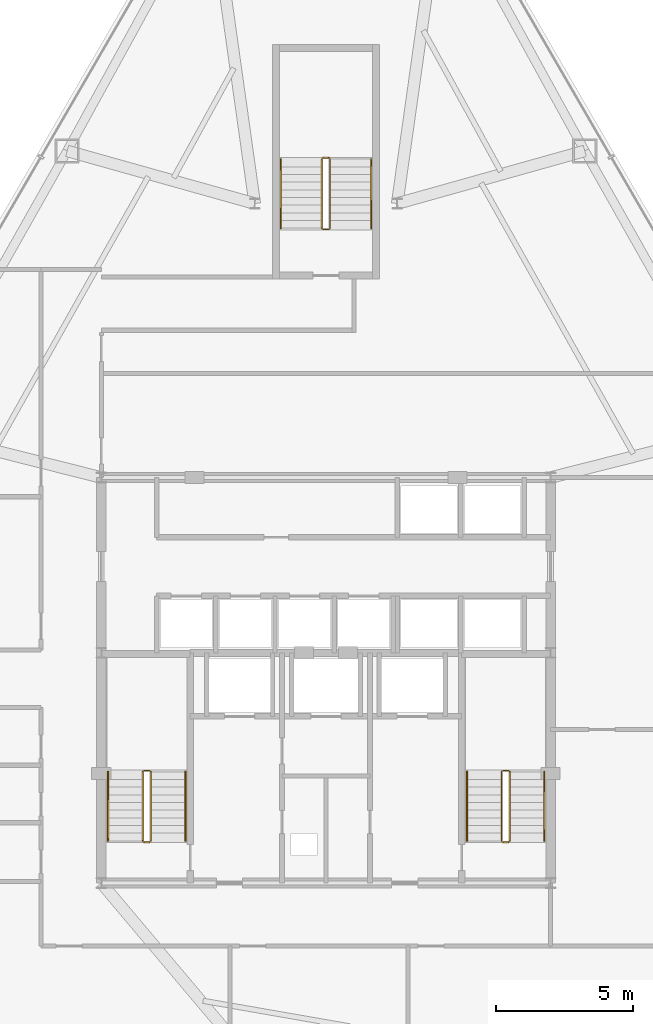
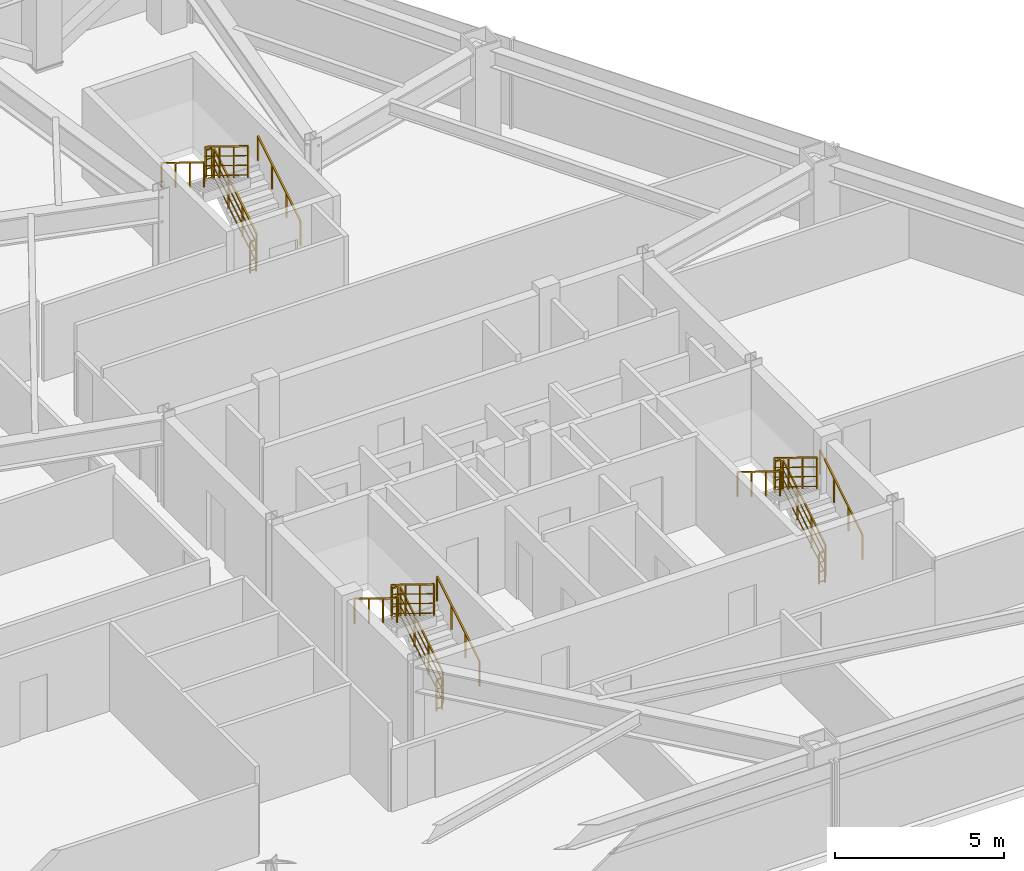
# One storey, part 13 of 13: 18 railings.
"""IFC4 building model written with IfcOpenShell, lengths in metres."""

from ifc_helpers import new_model, si_unit, direction, frame, origin, origin_2d, place, context, subcontext, project, spatial, rectangle, extrude, material, type_object, element, save


model = new_model("IFC4")

# Units and contexts
model_context = context("Model", 3, precision=1e-05, world=origin(), true_north=direction((0.0, 1.0)))
body_context = subcontext(model_context, "Body", "Model", "MODEL_VIEW")
ifc_project = project(units=[si_unit("LENGTHUNIT", "METRE"), si_unit("AREAUNIT", "SQUARE_METRE"), si_unit("VOLUMEUNIT", "CUBIC_METRE"), si_unit("PLANEANGLEUNIT", "RADIAN"), si_unit("MASSUNIT", "GRAM", prefix="KILO")], contexts=[model_context])

# Site, building, storey
site_placement = place(None, origin())
site = spatial("IfcSite", under=ifc_project, at=site_placement, CompositionType="ELEMENT")
building_placement = place(site_placement, origin())
building = spatial("IfcBuilding", under=site, at=building_placement, Name="Varakhsha Concourse Tower", CompositionType="ELEMENT")
storey_placement = place(building_placement, frame((0.0, 0.0, 122.89990234375)))
storey = spatial("IfcBuildingStorey", under=building, at=storey_placement, Name="L35", CompositionType="ELEMENT", Elevation=122.89990234375)

# Railings
ifc_material = material(Name="Brushed Austenitic Stainless Steel AISI 316", Category="steel")
railing_type_1 = type_object("IfcRailingType", Name="RL-STAIR-GUARD-1100", PredefinedType="GUARDRAIL", material=ifc_material)
railing_1_placement = place(storey_placement, frame((33.610107421875, 17.93994140625, 0.172607421875)))
element("IfcRailing", 1, at=railing_1_placement, inside=storey, type_object=railing_type_1, Name="L35 ST1 stair guard 1", PredefinedType="GUARDRAIL", context=body_context, shape_type="SweptSolid", body=[
    extrude(rectangle(XDim=0.048095703125, YDim=0.048095703125, at=origin_2d()), frame((0.0, 0.0, 1.1259765625), z_axis=(0.0, 0.851400495292, 0.524516154772), x_axis=(-1.0, 0.0, 0.0)), (0.0, 0.0, 1.0), 2.9599609375),
    extrude(rectangle(XDim=0.028076171875, YDim=0.028076171875, at=origin_2d()), frame((0.0, 0.0, 0.080078125), z_axis=(0.0, 0.851400495292, 0.524516154772), x_axis=(-1.0, 0.0, 0.0)), (0.0, 0.0, 1.0), 2.9599609375),
    extrude(rectangle(XDim=0.028076171875, YDim=0.028076171875, at=origin_2d()), frame((0.0, 0.0, 0.43701171875), z_axis=(0.0, 0.851400495292, 0.524516154772), x_axis=(-1.0, 0.0, 0.0)), (0.0, 0.0, 1.0), 2.9599609375),
    extrude(rectangle(XDim=0.028076171875, YDim=0.028076171875, at=origin_2d()), frame((0.0, 0.0, 0.781982421875), z_axis=(0.0, 0.851400495292, 0.524516154772), x_axis=(-1.0, 0.0, 0.0)), (0.0, 0.0, 1.0), 2.9599609375),
    extrude(rectangle(XDim=0.0419921875, YDim=0.0419921875, at=origin_2d()), origin(), (0.0, 0.0, 1.0), 1.101806640625),
    extrude(rectangle(XDim=0.0419921875, YDim=0.0419921875, at=origin_2d()), frame((0.0, 0.840087890625, 0.517578125)), (0.0, 0.0, 1.0), 1.101806640625),
    extrude(rectangle(XDim=0.0419921875, YDim=0.0419921875, at=origin_2d()), frame((0.0, 1.679931640625, 1.034912109375)), (0.0, 0.0, 1.0), 1.101806640625),
    extrude(rectangle(XDim=0.0419921875, YDim=0.0419921875, at=origin_2d()), frame((0.0, 2.52001953125, 1.552490234375)), (0.0, 0.0, 1.0), 1.101806640625),
])
railing_2_placement = place(storey_placement, frame((33.56005859375, 20.510009765625, 1.72509765625)))
element("IfcRailing", 2, at=railing_2_placement, inside=storey, type_object=railing_type_1, Name="L35 ST1 stair guard 2", PredefinedType="GUARDRAIL", context=body_context, shape_type="SweptSolid", body=[
    extrude(rectangle(XDim=0.048095703125, YDim=0.048095703125, at=origin_2d()), frame((0.0, 0.0, 1.1259765625), z_axis=(-1.0, 0.0, 0.0), x_axis=(0.0, -1.0, 0.0)), (0.0, 0.0, 1.0), 0.199951171875),
    extrude(rectangle(XDim=0.028076171875, YDim=0.028076171875, at=origin_2d()), frame((0.0, 0.0, 0.080078125), z_axis=(-1.0, 0.0, 0.0), x_axis=(0.0, -1.0, 0.0)), (0.0, 0.0, 1.0), 0.199951171875),
    extrude(rectangle(XDim=0.028076171875, YDim=0.028076171875, at=origin_2d()), frame((0.0, 0.0, 0.43701171875), z_axis=(-1.0, 0.0, 0.0), x_axis=(0.0, -1.0, 0.0)), (0.0, 0.0, 1.0), 0.199951171875),
    extrude(rectangle(XDim=0.028076171875, YDim=0.028076171875, at=origin_2d()), frame((0.0, 0.0, 0.781982421875), z_axis=(-1.0, 0.0, 0.0), x_axis=(0.0, -1.0, 0.0)), (0.0, 0.0, 1.0), 0.199951171875),
    extrude(rectangle(XDim=0.0419921875, YDim=0.0419921875, at=origin_2d()), origin(), (0.0, 0.0, 1.0), 1.101806640625),
    extrude(rectangle(XDim=0.0419921875, YDim=0.0419921875, at=origin_2d()), frame((-0.199951171875, 0.0, 0.0)), (0.0, 0.0, 1.0), 1.101806640625),
])
railing_3_placement = place(storey_placement, frame((33.31005859375, 20.4599609375, 1.897705078125)))
element("IfcRailing", 3, at=railing_3_placement, inside=storey, type_object=railing_type_1, Name="L35 ST1 stair guard 3", PredefinedType="GUARDRAIL", context=body_context, shape_type="SweptSolid", body=[
    extrude(rectangle(XDim=0.048095703125, YDim=0.048095703125, at=origin_2d()), frame((0.0, 0.0, 1.1259765625), z_axis=(0.0, -0.851400495292, 0.524516154772), x_axis=(1.0, 0.0, 0.0)), (0.0, 0.0, 1.0), 2.9599609375),
    extrude(rectangle(XDim=0.028076171875, YDim=0.028076171875, at=origin_2d()), frame((0.0, 0.0, 0.080078125), z_axis=(0.0, -0.851400495292, 0.524516154772), x_axis=(1.0, 0.0, 0.0)), (0.0, 0.0, 1.0), 2.9599609375),
    extrude(rectangle(XDim=0.028076171875, YDim=0.028076171875, at=origin_2d()), frame((0.0, 0.0, 0.43701171875), z_axis=(0.0, -0.851400495292, 0.524516154772), x_axis=(1.0, 0.0, 0.0)), (0.0, 0.0, 1.0), 2.9599609375),
    extrude(rectangle(XDim=0.028076171875, YDim=0.028076171875, at=origin_2d()), frame((0.0, 0.0, 0.781982421875), z_axis=(0.0, -0.851400495292, 0.524516154772), x_axis=(1.0, 0.0, 0.0)), (0.0, 0.0, 1.0), 2.9599609375),
    extrude(rectangle(XDim=0.0419921875, YDim=0.0419921875, at=origin_2d()), origin(), (0.0, 0.0, 1.0), 1.101806640625),
    extrude(rectangle(XDim=0.0419921875, YDim=0.0419921875, at=origin_2d()), frame((0.0, -0.840087890625, 0.517578125)), (0.0, 0.0, 1.0), 1.101806640625),
    extrude(rectangle(XDim=0.0419921875, YDim=0.0419921875, at=origin_2d()), frame((0.0, -1.679931640625, 1.034912109375)), (0.0, 0.0, 1.0), 1.101806640625),
    extrude(rectangle(XDim=0.0419921875, YDim=0.0419921875, at=origin_2d()), frame((0.0, -2.52001953125, 1.552490234375)), (0.0, 0.0, 1.0), 1.101806640625),
])
railing_4_placement = place(storey_placement, frame((33.56005859375, 17.889892578125, 0.0)))
element("IfcRailing", 4, at=railing_4_placement, inside=storey, type_object=railing_type_1, Name="L35 ST1 stair guard 4", PredefinedType="GUARDRAIL", context=body_context, shape_type="SweptSolid", body=[
    extrude(rectangle(XDim=0.048095703125, YDim=0.048095703125, at=origin_2d()), frame((0.0, 0.0, 1.1259765625), z_axis=(-1.0, 0.0, 0.0), x_axis=(0.0, -1.0, 0.0)), (0.0, 0.0, 1.0), 0.199951171875),
    extrude(rectangle(XDim=0.028076171875, YDim=0.028076171875, at=origin_2d()), frame((0.0, 0.0, 0.080078125), z_axis=(-1.0, 0.0, 0.0), x_axis=(0.0, -1.0, 0.0)), (0.0, 0.0, 1.0), 0.199951171875),
    extrude(rectangle(XDim=0.028076171875, YDim=0.028076171875, at=origin_2d()), frame((0.0, 0.0, 0.43701171875), z_axis=(-1.0, 0.0, 0.0), x_axis=(0.0, -1.0, 0.0)), (0.0, 0.0, 1.0), 0.199951171875),
    extrude(rectangle(XDim=0.028076171875, YDim=0.028076171875, at=origin_2d()), frame((0.0, 0.0, 0.781982421875), z_axis=(-1.0, 0.0, 0.0), x_axis=(0.0, -1.0, 0.0)), (0.0, 0.0, 1.0), 0.199951171875),
    extrude(rectangle(XDim=0.0419921875, YDim=0.0419921875, at=origin_2d()), origin(), (0.0, 0.0, 1.0), 1.101806640625),
    extrude(rectangle(XDim=0.0419921875, YDim=0.0419921875, at=origin_2d()), frame((-0.199951171875, 0.0, 0.0)), (0.0, 0.0, 1.0), 1.101806640625),
])
railing_5_placement = place(storey_placement, frame((46.7099609375, 17.93994140625, 0.172607421875)))
element("IfcRailing", 5, at=railing_5_placement, inside=storey, type_object=railing_type_1, Name="L35 ST2 stair guard 1", PredefinedType="GUARDRAIL", context=body_context, shape_type="SweptSolid", body=[
    extrude(rectangle(XDim=0.048095703125, YDim=0.048095703125, at=origin_2d()), frame((0.0, 0.0, 1.1259765625), z_axis=(0.0, 0.851400495292, 0.524516154772), x_axis=(-1.0, 0.0, 0.0)), (0.0, 0.0, 1.0), 2.9599609375),
    extrude(rectangle(XDim=0.028076171875, YDim=0.028076171875, at=origin_2d()), frame((0.0, 0.0, 0.080078125), z_axis=(0.0, 0.851400495292, 0.524516154772), x_axis=(-1.0, 0.0, 0.0)), (0.0, 0.0, 1.0), 2.9599609375),
    extrude(rectangle(XDim=0.028076171875, YDim=0.028076171875, at=origin_2d()), frame((0.0, 0.0, 0.43701171875), z_axis=(0.0, 0.851400495292, 0.524516154772), x_axis=(-1.0, 0.0, 0.0)), (0.0, 0.0, 1.0), 2.9599609375),
    extrude(rectangle(XDim=0.028076171875, YDim=0.028076171875, at=origin_2d()), frame((0.0, 0.0, 0.781982421875), z_axis=(0.0, 0.851400495292, 0.524516154772), x_axis=(-1.0, 0.0, 0.0)), (0.0, 0.0, 1.0), 2.9599609375),
    extrude(rectangle(XDim=0.0419921875, YDim=0.0419921875, at=origin_2d()), origin(), (0.0, 0.0, 1.0), 1.101806640625),
    extrude(rectangle(XDim=0.0419921875, YDim=0.0419921875, at=origin_2d()), frame((0.0, 0.840087890625, 0.517578125)), (0.0, 0.0, 1.0), 1.101806640625),
    extrude(rectangle(XDim=0.0419921875, YDim=0.0419921875, at=origin_2d()), frame((0.0, 1.679931640625, 1.034912109375)), (0.0, 0.0, 1.0), 1.101806640625),
    extrude(rectangle(XDim=0.0419921875, YDim=0.0419921875, at=origin_2d()), frame((0.0, 2.52001953125, 1.552490234375)), (0.0, 0.0, 1.0), 1.101806640625),
])
railing_6_placement = place(storey_placement, frame((46.659912109375, 20.510009765625, 1.72509765625)))
element("IfcRailing", 6, at=railing_6_placement, inside=storey, type_object=railing_type_1, Name="L35 ST2 stair guard 2", PredefinedType="GUARDRAIL", context=body_context, shape_type="SweptSolid", body=[
    extrude(rectangle(XDim=0.048095703125, YDim=0.048095703125, at=origin_2d()), frame((0.0, 0.0, 1.1259765625), z_axis=(-1.0, 0.0, 0.0), x_axis=(0.0, -1.0, 0.0)), (0.0, 0.0, 1.0), 0.199951171875),
    extrude(rectangle(XDim=0.028076171875, YDim=0.028076171875, at=origin_2d()), frame((0.0, 0.0, 0.080078125), z_axis=(-1.0, 0.0, 0.0), x_axis=(0.0, -1.0, 0.0)), (0.0, 0.0, 1.0), 0.199951171875),
    extrude(rectangle(XDim=0.028076171875, YDim=0.028076171875, at=origin_2d()), frame((0.0, 0.0, 0.43701171875), z_axis=(-1.0, 0.0, 0.0), x_axis=(0.0, -1.0, 0.0)), (0.0, 0.0, 1.0), 0.199951171875),
    extrude(rectangle(XDim=0.028076171875, YDim=0.028076171875, at=origin_2d()), frame((0.0, 0.0, 0.781982421875), z_axis=(-1.0, 0.0, 0.0), x_axis=(0.0, -1.0, 0.0)), (0.0, 0.0, 1.0), 0.199951171875),
    extrude(rectangle(XDim=0.0419921875, YDim=0.0419921875, at=origin_2d()), origin(), (0.0, 0.0, 1.0), 1.101806640625),
    extrude(rectangle(XDim=0.0419921875, YDim=0.0419921875, at=origin_2d()), frame((-0.199951171875, 0.0, 0.0)), (0.0, 0.0, 1.0), 1.101806640625),
])
railing_7_placement = place(storey_placement, frame((46.409912109375, 20.4599609375, 1.897705078125)))
element("IfcRailing", 7, at=railing_7_placement, inside=storey, type_object=railing_type_1, Name="L35 ST2 stair guard 3", PredefinedType="GUARDRAIL", context=body_context, shape_type="SweptSolid", body=[
    extrude(rectangle(XDim=0.048095703125, YDim=0.048095703125, at=origin_2d()), frame((0.0, 0.0, 1.1259765625), z_axis=(0.0, -0.851400495292, 0.524516154772), x_axis=(1.0, 0.0, 0.0)), (0.0, 0.0, 1.0), 2.9599609375),
    extrude(rectangle(XDim=0.028076171875, YDim=0.028076171875, at=origin_2d()), frame((0.0, 0.0, 0.080078125), z_axis=(0.0, -0.851400495292, 0.524516154772), x_axis=(1.0, 0.0, 0.0)), (0.0, 0.0, 1.0), 2.9599609375),
    extrude(rectangle(XDim=0.028076171875, YDim=0.028076171875, at=origin_2d()), frame((0.0, 0.0, 0.43701171875), z_axis=(0.0, -0.851400495292, 0.524516154772), x_axis=(1.0, 0.0, 0.0)), (0.0, 0.0, 1.0), 2.9599609375),
    extrude(rectangle(XDim=0.028076171875, YDim=0.028076171875, at=origin_2d()), frame((0.0, 0.0, 0.781982421875), z_axis=(0.0, -0.851400495292, 0.524516154772), x_axis=(1.0, 0.0, 0.0)), (0.0, 0.0, 1.0), 2.9599609375),
    extrude(rectangle(XDim=0.0419921875, YDim=0.0419921875, at=origin_2d()), origin(), (0.0, 0.0, 1.0), 1.101806640625),
    extrude(rectangle(XDim=0.0419921875, YDim=0.0419921875, at=origin_2d()), frame((0.0, -0.840087890625, 0.517578125)), (0.0, 0.0, 1.0), 1.101806640625),
    extrude(rectangle(XDim=0.0419921875, YDim=0.0419921875, at=origin_2d()), frame((0.0, -1.679931640625, 1.034912109375)), (0.0, 0.0, 1.0), 1.101806640625),
    extrude(rectangle(XDim=0.0419921875, YDim=0.0419921875, at=origin_2d()), frame((0.0, -2.52001953125, 1.552490234375)), (0.0, 0.0, 1.0), 1.101806640625),
])
railing_8_placement = place(storey_placement, frame((46.659912109375, 17.889892578125, 0.0)))
element("IfcRailing", 8, at=railing_8_placement, inside=storey, type_object=railing_type_1, Name="L35 ST2 stair guard 4", PredefinedType="GUARDRAIL", context=body_context, shape_type="SweptSolid", body=[
    extrude(rectangle(XDim=0.048095703125, YDim=0.048095703125, at=origin_2d()), frame((0.0, 0.0, 1.1259765625), z_axis=(-1.0, 0.0, 0.0), x_axis=(0.0, -1.0, 0.0)), (0.0, 0.0, 1.0), 0.199951171875),
    extrude(rectangle(XDim=0.028076171875, YDim=0.028076171875, at=origin_2d()), frame((0.0, 0.0, 0.080078125), z_axis=(-1.0, 0.0, 0.0), x_axis=(0.0, -1.0, 0.0)), (0.0, 0.0, 1.0), 0.199951171875),
    extrude(rectangle(XDim=0.028076171875, YDim=0.028076171875, at=origin_2d()), frame((0.0, 0.0, 0.43701171875), z_axis=(-1.0, 0.0, 0.0), x_axis=(0.0, -1.0, 0.0)), (0.0, 0.0, 1.0), 0.199951171875),
    extrude(rectangle(XDim=0.028076171875, YDim=0.028076171875, at=origin_2d()), frame((0.0, 0.0, 0.781982421875), z_axis=(-1.0, 0.0, 0.0), x_axis=(0.0, -1.0, 0.0)), (0.0, 0.0, 1.0), 0.199951171875),
    extrude(rectangle(XDim=0.0419921875, YDim=0.0419921875, at=origin_2d()), origin(), (0.0, 0.0, 1.0), 1.101806640625),
    extrude(rectangle(XDim=0.0419921875, YDim=0.0419921875, at=origin_2d()), frame((-0.199951171875, 0.0, 0.0)), (0.0, 0.0, 1.0), 1.101806640625),
])
railing_9_placement = place(storey_placement, frame((40.14990234375, 40.300048828125, 0.172607421875)))
element("IfcRailing", 9, at=railing_9_placement, inside=storey, type_object=railing_type_1, Name="L35 ST5 stair guard 1", PredefinedType="GUARDRAIL", context=body_context, shape_type="SweptSolid", body=[
    extrude(rectangle(XDim=0.048095703125, YDim=0.048095703125, at=origin_2d()), frame((0.0, 0.0, 1.1259765625), z_axis=(0.0, 0.851400495292, 0.524516154772), x_axis=(-1.0, 0.0, 0.0)), (0.0, 0.0, 1.0), 2.9599609375),
    extrude(rectangle(XDim=0.028076171875, YDim=0.028076171875, at=origin_2d()), frame((0.0, 0.0, 0.080078125), z_axis=(0.0, 0.851400495292, 0.524516154772), x_axis=(-1.0, 0.0, 0.0)), (0.0, 0.0, 1.0), 2.9599609375),
    extrude(rectangle(XDim=0.028076171875, YDim=0.028076171875, at=origin_2d()), frame((0.0, 0.0, 0.43701171875), z_axis=(0.0, 0.851400495292, 0.524516154772), x_axis=(-1.0, 0.0, 0.0)), (0.0, 0.0, 1.0), 2.9599609375),
    extrude(rectangle(XDim=0.028076171875, YDim=0.028076171875, at=origin_2d()), frame((0.0, 0.0, 0.781982421875), z_axis=(0.0, 0.851400495292, 0.524516154772), x_axis=(-1.0, 0.0, 0.0)), (0.0, 0.0, 1.0), 2.9599609375),
    extrude(rectangle(XDim=0.0419921875, YDim=0.0419921875, at=origin_2d()), origin(), (0.0, 0.0, 1.0), 1.101806640625),
    extrude(rectangle(XDim=0.0419921875, YDim=0.0419921875, at=origin_2d()), frame((0.0, 0.840087890625, 0.517578125)), (0.0, 0.0, 1.0), 1.101806640625),
    extrude(rectangle(XDim=0.0419921875, YDim=0.0419921875, at=origin_2d()), frame((0.0, 1.679931640625, 1.034912109375)), (0.0, 0.0, 1.0), 1.101806640625),
    extrude(rectangle(XDim=0.0419921875, YDim=0.0419921875, at=origin_2d()), frame((0.0, 2.52001953125, 1.552490234375)), (0.0, 0.0, 1.0), 1.101806640625),
])
railing_10_placement = place(storey_placement, frame((40.10009765625, 42.8701171875, 1.72509765625)))
element("IfcRailing", 10, at=railing_10_placement, inside=storey, type_object=railing_type_1, Name="L35 ST5 stair guard 2", PredefinedType="GUARDRAIL", context=body_context, shape_type="SweptSolid", body=[
    extrude(rectangle(XDim=0.048095703125, YDim=0.048095703125, at=origin_2d()), frame((0.0, 0.0, 1.1259765625), z_axis=(-1.0, 0.0, 0.0), x_axis=(0.0, -1.0, 0.0)), (0.0, 0.0, 1.0), 0.2001953125),
    extrude(rectangle(XDim=0.028076171875, YDim=0.028076171875, at=origin_2d()), frame((0.0, 0.0, 0.080078125), z_axis=(-1.0, 0.0, 0.0), x_axis=(0.0, -1.0, 0.0)), (0.0, 0.0, 1.0), 0.2001953125),
    extrude(rectangle(XDim=0.028076171875, YDim=0.028076171875, at=origin_2d()), frame((0.0, 0.0, 0.43701171875), z_axis=(-1.0, 0.0, 0.0), x_axis=(0.0, -1.0, 0.0)), (0.0, 0.0, 1.0), 0.2001953125),
    extrude(rectangle(XDim=0.028076171875, YDim=0.028076171875, at=origin_2d()), frame((0.0, 0.0, 0.781982421875), z_axis=(-1.0, 0.0, 0.0), x_axis=(0.0, -1.0, 0.0)), (0.0, 0.0, 1.0), 0.2001953125),
    extrude(rectangle(XDim=0.0419921875, YDim=0.0419921875, at=origin_2d()), origin(), (0.0, 0.0, 1.0), 1.101806640625),
    extrude(rectangle(XDim=0.0419921875, YDim=0.0419921875, at=origin_2d()), frame((-0.2001953125, 0.0, 0.0)), (0.0, 0.0, 1.0), 1.101806640625),
])
railing_11_placement = place(storey_placement, frame((39.85009765625, 42.820068359375, 1.897705078125)))
element("IfcRailing", 11, at=railing_11_placement, inside=storey, type_object=railing_type_1, Name="L35 ST5 stair guard 3", PredefinedType="GUARDRAIL", context=body_context, shape_type="SweptSolid", body=[
    extrude(rectangle(XDim=0.048095703125, YDim=0.048095703125, at=origin_2d()), frame((0.0, 0.0, 1.1259765625), z_axis=(0.0, -0.851400495292, 0.524516154772), x_axis=(1.0, 0.0, 0.0)), (0.0, 0.0, 1.0), 2.9599609375),
    extrude(rectangle(XDim=0.028076171875, YDim=0.028076171875, at=origin_2d()), frame((0.0, 0.0, 0.080078125), z_axis=(0.0, -0.851400495292, 0.524516154772), x_axis=(1.0, 0.0, 0.0)), (0.0, 0.0, 1.0), 2.9599609375),
    extrude(rectangle(XDim=0.028076171875, YDim=0.028076171875, at=origin_2d()), frame((0.0, 0.0, 0.43701171875), z_axis=(0.0, -0.851400495292, 0.524516154772), x_axis=(1.0, 0.0, 0.0)), (0.0, 0.0, 1.0), 2.9599609375),
    extrude(rectangle(XDim=0.028076171875, YDim=0.028076171875, at=origin_2d()), frame((0.0, 0.0, 0.781982421875), z_axis=(0.0, -0.851400495292, 0.524516154772), x_axis=(1.0, 0.0, 0.0)), (0.0, 0.0, 1.0), 2.9599609375),
    extrude(rectangle(XDim=0.0419921875, YDim=0.0419921875, at=origin_2d()), origin(), (0.0, 0.0, 1.0), 1.101806640625),
    extrude(rectangle(XDim=0.0419921875, YDim=0.0419921875, at=origin_2d()), frame((0.0, -0.840087890625, 0.517578125)), (0.0, 0.0, 1.0), 1.101806640625),
    extrude(rectangle(XDim=0.0419921875, YDim=0.0419921875, at=origin_2d()), frame((0.0, -1.679931640625, 1.034912109375)), (0.0, 0.0, 1.0), 1.101806640625),
    extrude(rectangle(XDim=0.0419921875, YDim=0.0419921875, at=origin_2d()), frame((0.0, -2.52001953125, 1.552490234375)), (0.0, 0.0, 1.0), 1.101806640625),
])
railing_12_placement = place(storey_placement, frame((40.10009765625, 40.25, 0.0)))
element("IfcRailing", 12, at=railing_12_placement, inside=storey, type_object=railing_type_1, Name="L35 ST5 stair guard 4", PredefinedType="GUARDRAIL", context=body_context, shape_type="SweptSolid", body=[
    extrude(rectangle(XDim=0.048095703125, YDim=0.048095703125, at=origin_2d()), frame((0.0, 0.0, 1.1259765625), z_axis=(-1.0, 0.0, 0.0), x_axis=(0.0, -1.0, 0.0)), (0.0, 0.0, 1.0), 0.2001953125),
    extrude(rectangle(XDim=0.028076171875, YDim=0.028076171875, at=origin_2d()), frame((0.0, 0.0, 0.080078125), z_axis=(-1.0, 0.0, 0.0), x_axis=(0.0, -1.0, 0.0)), (0.0, 0.0, 1.0), 0.2001953125),
    extrude(rectangle(XDim=0.028076171875, YDim=0.028076171875, at=origin_2d()), frame((0.0, 0.0, 0.43701171875), z_axis=(-1.0, 0.0, 0.0), x_axis=(0.0, -1.0, 0.0)), (0.0, 0.0, 1.0), 0.2001953125),
    extrude(rectangle(XDim=0.028076171875, YDim=0.028076171875, at=origin_2d()), frame((0.0, 0.0, 0.781982421875), z_axis=(-1.0, 0.0, 0.0), x_axis=(0.0, -1.0, 0.0)), (0.0, 0.0, 1.0), 0.2001953125),
    extrude(rectangle(XDim=0.0419921875, YDim=0.0419921875, at=origin_2d()), origin(), (0.0, 0.0, 1.0), 1.101806640625),
    extrude(rectangle(XDim=0.0419921875, YDim=0.0419921875, at=origin_2d()), frame((-0.2001953125, 0.0, 0.0)), (0.0, 0.0, 1.0), 1.101806640625),
])
railing_type_2 = type_object("IfcRailingType", Name="RL-STAIR-RAIL-915", PredefinedType="HANDRAIL", material=ifc_material)
railing_13_placement = place(storey_placement, frame((34.8701171875, 17.93994140625, 0.34521484375)))
element("IfcRailing", 13, at=railing_13_placement, inside=storey, type_object=railing_type_2, Name="L35 ST1 stair handrail 1", PredefinedType="HANDRAIL", context=body_context, shape_type="SweptSolid", body=[
    extrude(rectangle(XDim=0.048095703125, YDim=0.048095703125, at=origin_2d()), frame((0.0, 0.0, 0.89111328125), z_axis=(0.0, 0.851400495292, 0.524516154772), x_axis=(-1.0, 0.0, 0.0)), (0.0, 0.0, 1.0), 2.9599609375),
    extrude(rectangle(XDim=0.0419921875, YDim=0.0419921875, at=origin_2d()), origin(), (0.0, 0.0, 1.0), 0.866943359375),
    extrude(rectangle(XDim=0.0419921875, YDim=0.0419921875, at=origin_2d()), frame((0.0, 0.840087890625, 0.517578125)), (0.0, 0.0, 1.0), 0.866943359375),
    extrude(rectangle(XDim=0.0419921875, YDim=0.0419921875, at=origin_2d()), frame((0.0, 1.679931640625, 1.034912109375)), (0.0, 0.0, 1.0), 0.866943359375),
    extrude(rectangle(XDim=0.0419921875, YDim=0.0419921875, at=origin_2d()), frame((0.0, 2.52001953125, 1.552490234375)), (0.0, 0.0, 1.0), 0.866943359375),
])
railing_14_placement = place(storey_placement, frame((32.050048828125, 20.4599609375, 2.070068359375)))
element("IfcRailing", 14, at=railing_14_placement, inside=storey, type_object=railing_type_2, Name="L35 ST1 stair handrail 2", PredefinedType="HANDRAIL", context=body_context, shape_type="SweptSolid", body=[
    extrude(rectangle(XDim=0.048095703125, YDim=0.048095703125, at=origin_2d()), frame((0.0, 0.0, 0.89111328125), z_axis=(0.0, -0.851400495292, 0.524516154772), x_axis=(1.0, 0.0, 0.0)), (0.0, 0.0, 1.0), 2.9599609375),
    extrude(rectangle(XDim=0.0419921875, YDim=0.0419921875, at=origin_2d()), origin(), (0.0, 0.0, 1.0), 0.866943359375),
    extrude(rectangle(XDim=0.0419921875, YDim=0.0419921875, at=origin_2d()), frame((0.0, -0.840087890625, 0.517578125)), (0.0, 0.0, 1.0), 0.866943359375),
    extrude(rectangle(XDim=0.0419921875, YDim=0.0419921875, at=origin_2d()), frame((0.0, -1.679931640625, 1.034912109375)), (0.0, 0.0, 1.0), 0.866943359375),
    extrude(rectangle(XDim=0.0419921875, YDim=0.0419921875, at=origin_2d()), frame((0.0, -2.52001953125, 1.552490234375)), (0.0, 0.0, 1.0), 0.866943359375),
])
railing_15_placement = place(storey_placement, frame((47.969970703125, 17.93994140625, 0.34521484375)))
element("IfcRailing", 15, at=railing_15_placement, inside=storey, type_object=railing_type_2, Name="L35 ST2 stair handrail 1", PredefinedType="HANDRAIL", context=body_context, shape_type="SweptSolid", body=[
    extrude(rectangle(XDim=0.048095703125, YDim=0.048095703125, at=origin_2d()), frame((0.0, 0.0, 0.89111328125), z_axis=(0.0, 0.851400495292, 0.524516154772), x_axis=(-1.0, 0.0, 0.0)), (0.0, 0.0, 1.0), 2.9599609375),
    extrude(rectangle(XDim=0.0419921875, YDim=0.0419921875, at=origin_2d()), origin(), (0.0, 0.0, 1.0), 0.866943359375),
    extrude(rectangle(XDim=0.0419921875, YDim=0.0419921875, at=origin_2d()), frame((0.0, 0.840087890625, 0.517578125)), (0.0, 0.0, 1.0), 0.866943359375),
    extrude(rectangle(XDim=0.0419921875, YDim=0.0419921875, at=origin_2d()), frame((0.0, 1.679931640625, 1.034912109375)), (0.0, 0.0, 1.0), 0.866943359375),
    extrude(rectangle(XDim=0.0419921875, YDim=0.0419921875, at=origin_2d()), frame((0.0, 2.52001953125, 1.552490234375)), (0.0, 0.0, 1.0), 0.866943359375),
])
railing_16_placement = place(storey_placement, frame((45.14990234375, 20.4599609375, 2.070068359375)))
element("IfcRailing", 16, at=railing_16_placement, inside=storey, type_object=railing_type_2, Name="L35 ST2 stair handrail 2", PredefinedType="HANDRAIL", context=body_context, shape_type="SweptSolid", body=[
    extrude(rectangle(XDim=0.048095703125, YDim=0.048095703125, at=origin_2d()), frame((0.0, 0.0, 0.89111328125), z_axis=(0.0, -0.851400495292, 0.524516154772), x_axis=(1.0, 0.0, 0.0)), (0.0, 0.0, 1.0), 2.9599609375),
    extrude(rectangle(XDim=0.0419921875, YDim=0.0419921875, at=origin_2d()), origin(), (0.0, 0.0, 1.0), 0.866943359375),
    extrude(rectangle(XDim=0.0419921875, YDim=0.0419921875, at=origin_2d()), frame((0.0, -0.840087890625, 0.517578125)), (0.0, 0.0, 1.0), 0.866943359375),
    extrude(rectangle(XDim=0.0419921875, YDim=0.0419921875, at=origin_2d()), frame((0.0, -1.679931640625, 1.034912109375)), (0.0, 0.0, 1.0), 0.866943359375),
    extrude(rectangle(XDim=0.0419921875, YDim=0.0419921875, at=origin_2d()), frame((0.0, -2.52001953125, 1.552490234375)), (0.0, 0.0, 1.0), 0.866943359375),
])
railing_17_placement = place(storey_placement, frame((41.64990234375, 40.300048828125, 0.34521484375)))
element("IfcRailing", 17, at=railing_17_placement, inside=storey, type_object=railing_type_2, Name="L35 ST5 stair handrail 1", PredefinedType="HANDRAIL", context=body_context, shape_type="SweptSolid", body=[
    extrude(rectangle(XDim=0.048095703125, YDim=0.048095703125, at=origin_2d()), frame((0.0, 0.0, 0.89111328125), z_axis=(0.0, 0.851400495292, 0.524516154772), x_axis=(-1.0, 0.0, 0.0)), (0.0, 0.0, 1.0), 2.9599609375),
    extrude(rectangle(XDim=0.0419921875, YDim=0.0419921875, at=origin_2d()), origin(), (0.0, 0.0, 1.0), 0.866943359375),
    extrude(rectangle(XDim=0.0419921875, YDim=0.0419921875, at=origin_2d()), frame((0.0, 0.840087890625, 0.517578125)), (0.0, 0.0, 1.0), 0.866943359375),
    extrude(rectangle(XDim=0.0419921875, YDim=0.0419921875, at=origin_2d()), frame((0.0, 1.679931640625, 1.034912109375)), (0.0, 0.0, 1.0), 0.866943359375),
    extrude(rectangle(XDim=0.0419921875, YDim=0.0419921875, at=origin_2d()), frame((0.0, 2.52001953125, 1.552490234375)), (0.0, 0.0, 1.0), 0.866943359375),
])
railing_18_placement = place(storey_placement, frame((38.35009765625, 42.820068359375, 2.070068359375)))
element("IfcRailing", 18, at=railing_18_placement, inside=storey, type_object=railing_type_2, Name="L35 ST5 stair handrail 2", PredefinedType="HANDRAIL", context=body_context, shape_type="SweptSolid", body=[
    extrude(rectangle(XDim=0.048095703125, YDim=0.048095703125, at=origin_2d()), frame((0.0, 0.0, 0.89111328125), z_axis=(0.0, -0.851400495292, 0.524516154772), x_axis=(1.0, 0.0, 0.0)), (0.0, 0.0, 1.0), 2.9599609375),
    extrude(rectangle(XDim=0.0419921875, YDim=0.0419921875, at=origin_2d()), origin(), (0.0, 0.0, 1.0), 0.866943359375),
    extrude(rectangle(XDim=0.0419921875, YDim=0.0419921875, at=origin_2d()), frame((0.0, -0.840087890625, 0.517578125)), (0.0, 0.0, 1.0), 0.866943359375),
    extrude(rectangle(XDim=0.0419921875, YDim=0.0419921875, at=origin_2d()), frame((0.0, -1.679931640625, 1.034912109375)), (0.0, 0.0, 1.0), 0.866943359375),
    extrude(rectangle(XDim=0.0419921875, YDim=0.0419921875, at=origin_2d()), frame((0.0, -2.52001953125, 1.552490234375)), (0.0, 0.0, 1.0), 0.866943359375),
])

save(model, "model.ifc")
